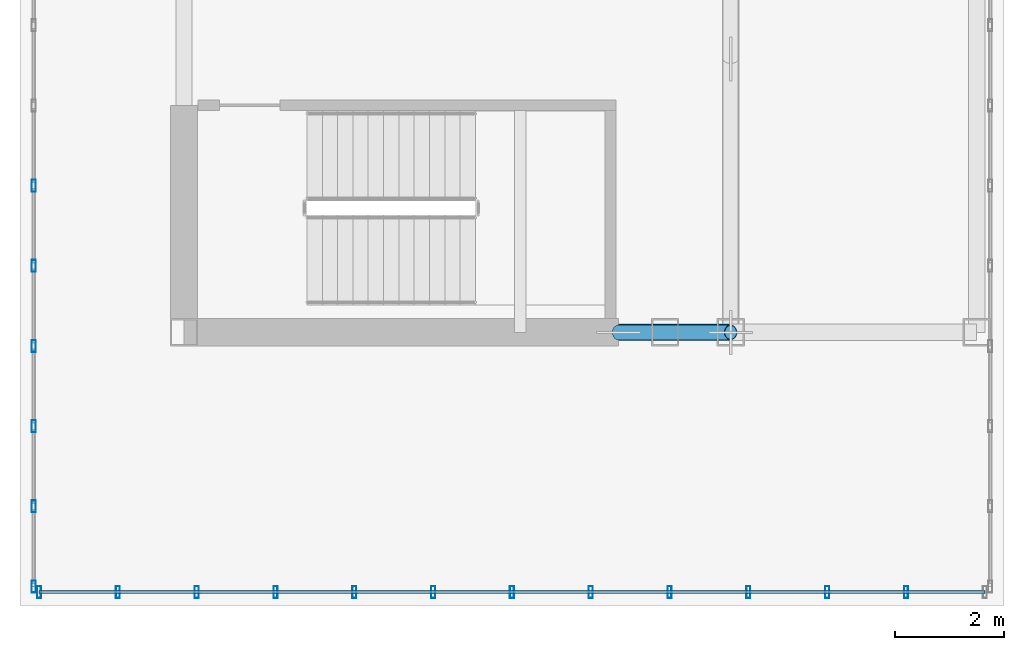
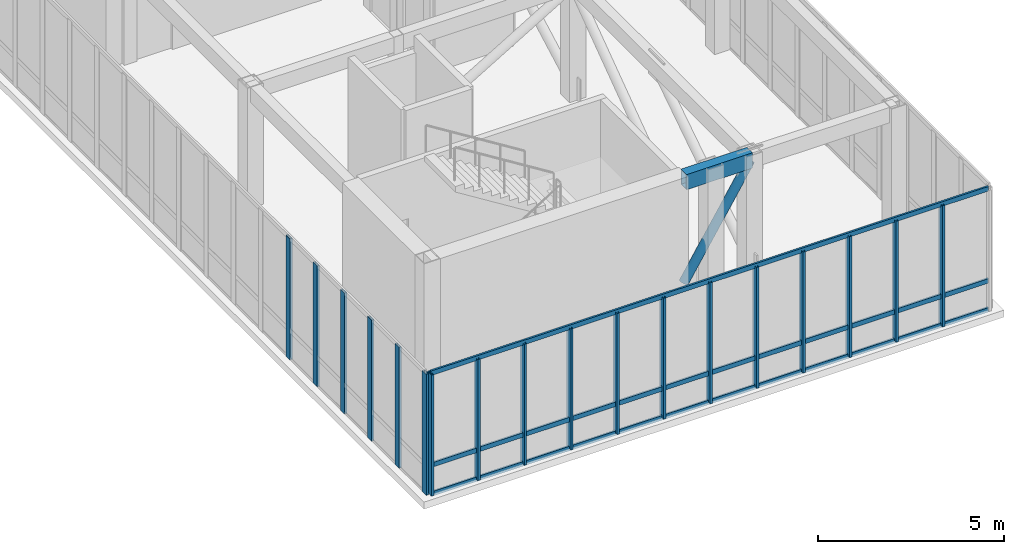
# One storey, part 2 of 13: 22 members, 1 beam, 2 elements without a shape of their own.
"""IFC4 building model written with IfcOpenShell, lengths in metres."""

from ifc_helpers import new_model, si_unit, direction, frame, origin, origin_2d, place, context, subcontext, project, spatial, hollow_rectangle, hollow_circle, extrude, source, transform, mapped, material, layer, layer_set, material_profile, profile_set, type_object, element, aggregate, save


model = new_model("IFC4")

# Units and contexts
model_context = context("Model", 3, precision=1e-05, world=origin(), true_north=direction((0.0, 1.0)))
body_context = subcontext(model_context, "Body", "Model", "MODEL_VIEW")
ifc_project = project(units=[si_unit("LENGTHUNIT", "METRE"), si_unit("AREAUNIT", "SQUARE_METRE"), si_unit("VOLUMEUNIT", "CUBIC_METRE"), si_unit("PLANEANGLEUNIT", "RADIAN"), si_unit("MASSUNIT", "GRAM", prefix="KILO")], contexts=[model_context])

# Site, building, storey
site_placement = place(None, origin())
site = spatial("IfcSite", under=ifc_project, at=site_placement, CompositionType="ELEMENT")
building_placement = place(site_placement, origin())
building = spatial("IfcBuilding", under=site, at=building_placement, Name="Kharzan Plaza Tower", CompositionType="ELEMENT")
storey_placement = place(building_placement, frame((0.0, 0.0, 285.60009765625)))
storey = spatial("IfcBuildingStorey", under=building, at=storey_placement, Name="L77-CROWN", CompositionType="ELEMENT", Elevation=285.60009765625)

# Beam
ifc_material_1 = material(Name="Steel S355", Category="steel")
ifc_material_profile_1 = material_profile(ifc_material_1, hollow_rectangle(XDim=0.300048828125, YDim=0.5, WallThickness=0.02001953125, at=origin_2d()), Name="RHS500x300x20")
ifc_profile_set_1 = profile_set([ifc_material_profile_1], Name="Steel S355")
beam_type = type_object("IfcBeamType", Name="BM-CRN500", PredefinedType="BEAM", material=ifc_profile_set_1)
shared_shape_1 = source(origin(), body_context, "Body", "SweptSolid", [
    extrude(hollow_rectangle(XDim=0.300048828125, YDim=0.5, WallThickness=0.02001953125, at=origin_2d()), origin(), (0.0, 0.0, 1.0), 2.050048828125),
])
beam_placement = place(storey_placement, frame((12.449951171875, 8.5, 3.719970703125), z_axis=(1.0, 0.0, 0.0), x_axis=(0.0, 1.0, 0.0)))
element("IfcBeam", 1, at=beam_placement, inside=storey, type_object=beam_type, Name="L77-CROWN CROWN FRAME Lantern Ring Beam CRB-S2", PredefinedType="BEAM", context=body_context, shape_type="MappedRepresentation", body=[
    mapped(shared_shape_1, transform((0.0, 0.0, 0.0), x_axis=(1.0, 0.0, 0.0), y_axis=(0.0, 1.0, 0.0), z_axis=(0.0, 0.0, 1.0))),
])

# Member
ifc_material_profile_2 = material_profile(ifc_material_1, hollow_circle(Radius=0.136474609375, WallThickness=0.010009765625, at=origin_2d()), Name="CHS273x10")
ifc_profile_set_2 = profile_set([ifc_material_profile_2], Name="Steel S355")
member_type_1 = type_object("IfcMemberType", Name="MEM-CRN-DIAG", PredefinedType="BRACE", material=ifc_profile_set_2)
shared_shape_2 = source(origin(), body_context, "Body", "SweptSolid", [
    extrude(hollow_circle(Radius=0.136474609375, WallThickness=0.010009765625, at=origin_2d()), origin(), (0.0, 0.0, 1.0), 3.859619140625),
])
member_1_placement = place(storey_placement, frame((12.449951171875, 8.5, 0.349853515625), z_axis=(0.531169756636, 0.0, 0.847265418647), x_axis=(0.0, 1.0, 0.0)))
element("IfcMember", 2, at=member_1_placement, inside=storey, type_object=member_type_1, Name="L77-CROWN CROWN FRAME Diagonal Wind Brace CRD-N2", PredefinedType="BRACE", context=body_context, shape_type="MappedRepresentation", body=[
    mapped(shared_shape_2, transform((0.0, 0.0, 0.0), x_axis=(1.0, 0.0, 0.0), y_axis=(0.0, 1.0, 0.0), z_axis=(0.0, 0.0, 1.0))),
])

# Curtain wall, members
ifc_material_2 = material(Name="Unitised Bronze-Anodized Aluminium and Low-E Glass", Category="aluminium")
ifc_layer = layer(ifc_material_2, 0.199951171875)
ifc_layer_set = layer_set([ifc_layer], Name="Unitised Bronze-Anodized Aluminium and Low-E Glass")
curtain_wall_type = type_object("IfcCurtainWallType", Name="CW-LANTERN-6", PredefinedType="NOTDEFINED", material=ifc_layer_set)
curtain_wall_1_placement = place(storey_placement, origin())
curtain_wall_1 = element("IfcCurtainWall", 3, at=curtain_wall_1_placement, inside=storey, type_object=curtain_wall_type, Name="L77-CROWN Lantern Crown Illuminated Curtain Wall 1", PredefinedType="NOTDEFINED")
ifc_material_3 = material(Name="Anodized Bronze Aluminium", Category="aluminium")
ifc_material_profile_3 = material_profile(ifc_material_3, hollow_rectangle(XDim=0.074951171875, YDim=0.219970703125, WallThickness=0.00390625, at=origin_2d()), Name="ALU-M220x75x4")
ifc_profile_set_3 = profile_set([ifc_material_profile_3], Name="Anodized Bronze Aluminium")
member_type_2 = type_object("IfcMemberType", Name="MEM-CW-MUL200", PredefinedType="MULLION", material=ifc_profile_set_3)
shared_shape_3 = source(origin(), body_context, "Body", "SweptSolid", [
    extrude(hollow_rectangle(XDim=0.074951171875, YDim=0.219970703125, WallThickness=0.00390625, at=origin_2d()), origin(), (0.0, 0.0, 1.0), 3.969970703125),
])
member_2_placement = place(storey_placement, frame((1.85009765625, 3.75, 0.0), z_axis=(0.0, 0.0, 1.0), x_axis=(1.0, 0.0, 0.0)))
member_2 = element("IfcMember", 4, at=member_2_placement, type_object=member_type_2, Name="L77-CROWN Curtain-Wall Mullion 00", PredefinedType="MULLION", context=body_context, shape_type="MappedRepresentation", body=[
    mapped(shared_shape_3, transform((0.0, 0.0, 0.0), x_axis=(1.0, 0.0, 0.0), y_axis=(0.0, 1.0, 0.0), z_axis=(0.0, 0.0, 1.0))),
])
member_3_placement = place(storey_placement, frame((3.291748046875, 3.75, 0.0), z_axis=(0.0, 0.0, 1.0), x_axis=(1.0, 0.0, 0.0)))
member_3 = element("IfcMember", 5, at=member_3_placement, type_object=member_type_2, Name="L77-CROWN Curtain-Wall Mullion 01", PredefinedType="MULLION", context=body_context, shape_type="MappedRepresentation", body=[
    mapped(shared_shape_3, transform((0.0, 0.0, 0.0), x_axis=(1.0, 0.0, 0.0), y_axis=(0.0, 1.0, 0.0), z_axis=(0.0, 0.0, 1.0))),
])
member_4_placement = place(storey_placement, frame((4.7333984375, 3.75, 0.0), z_axis=(0.0, 0.0, 1.0), x_axis=(1.0, 0.0, 0.0)))
member_4 = element("IfcMember", 6, at=member_4_placement, type_object=member_type_2, Name="L77-CROWN Curtain-Wall Mullion 02", PredefinedType="MULLION", context=body_context, shape_type="MappedRepresentation", body=[
    mapped(shared_shape_3, transform((0.0, 0.0, 0.0), x_axis=(1.0, 0.0, 0.0), y_axis=(0.0, 1.0, 0.0), z_axis=(0.0, 0.0, 1.0))),
])
member_5_placement = place(storey_placement, frame((6.175048828125, 3.75, 0.0), z_axis=(0.0, 0.0, 1.0), x_axis=(1.0, 0.0, 0.0)))
member_5 = element("IfcMember", 7, at=member_5_placement, type_object=member_type_2, Name="L77-CROWN Curtain-Wall Mullion 03", PredefinedType="MULLION", context=body_context, shape_type="MappedRepresentation", body=[
    mapped(shared_shape_3, transform((0.0, 0.0, 0.0), x_axis=(1.0, 0.0, 0.0), y_axis=(0.0, 1.0, 0.0), z_axis=(0.0, 0.0, 1.0))),
])
member_6_placement = place(storey_placement, frame((7.61669921875, 3.75, 0.0), z_axis=(0.0, 0.0, 1.0), x_axis=(1.0, 0.0, 0.0)))
member_6 = element("IfcMember", 8, at=member_6_placement, type_object=member_type_2, Name="L77-CROWN Curtain-Wall Mullion 04", PredefinedType="MULLION", context=body_context, shape_type="MappedRepresentation", body=[
    mapped(shared_shape_3, transform((0.0, 0.0, 0.0), x_axis=(1.0, 0.0, 0.0), y_axis=(0.0, 1.0, 0.0), z_axis=(0.0, 0.0, 1.0))),
])
member_7_placement = place(storey_placement, frame((9.058349609375, 3.75, 0.0), z_axis=(0.0, 0.0, 1.0), x_axis=(1.0, 0.0, 0.0)))
member_7 = element("IfcMember", 9, at=member_7_placement, type_object=member_type_2, Name="L77-CROWN Curtain-Wall Mullion 05", PredefinedType="MULLION", context=body_context, shape_type="MappedRepresentation", body=[
    mapped(shared_shape_3, transform((0.0, 0.0, 0.0), x_axis=(1.0, 0.0, 0.0), y_axis=(0.0, 1.0, 0.0), z_axis=(0.0, 0.0, 1.0))),
])
member_8_placement = place(storey_placement, frame((10.5, 3.75, 0.0), z_axis=(0.0, 0.0, 1.0), x_axis=(1.0, 0.0, 0.0)))
member_8 = element("IfcMember", 10, at=member_8_placement, type_object=member_type_2, Name="L77-CROWN Curtain-Wall Mullion 06", PredefinedType="MULLION", context=body_context, shape_type="MappedRepresentation", body=[
    mapped(shared_shape_3, transform((0.0, 0.0, 0.0), x_axis=(1.0, 0.0, 0.0), y_axis=(0.0, 1.0, 0.0), z_axis=(0.0, 0.0, 1.0))),
])
member_9_placement = place(storey_placement, frame((11.941650390625, 3.75, 0.0), z_axis=(0.0, 0.0, 1.0), x_axis=(1.0, 0.0, 0.0)))
member_9 = element("IfcMember", 11, at=member_9_placement, type_object=member_type_2, Name="L77-CROWN Curtain-Wall Mullion 07", PredefinedType="MULLION", context=body_context, shape_type="MappedRepresentation", body=[
    mapped(shared_shape_3, transform((0.0, 0.0, 0.0), x_axis=(1.0, 0.0, 0.0), y_axis=(0.0, 1.0, 0.0), z_axis=(0.0, 0.0, 1.0))),
])
member_10_placement = place(storey_placement, frame((13.38330078125, 3.75, 0.0), z_axis=(0.0, 0.0, 1.0), x_axis=(1.0, 0.0, 0.0)))
member_10 = element("IfcMember", 12, at=member_10_placement, type_object=member_type_2, Name="L77-CROWN Curtain-Wall Mullion 08", PredefinedType="MULLION", context=body_context, shape_type="MappedRepresentation", body=[
    mapped(shared_shape_3, transform((0.0, 0.0, 0.0), x_axis=(1.0, 0.0, 0.0), y_axis=(0.0, 1.0, 0.0), z_axis=(0.0, 0.0, 1.0))),
])
member_11_placement = place(storey_placement, frame((14.824951171875, 3.75, 0.0), z_axis=(0.0, 0.0, 1.0), x_axis=(1.0, 0.0, 0.0)))
member_11 = element("IfcMember", 13, at=member_11_placement, type_object=member_type_2, Name="L77-CROWN Curtain-Wall Mullion 09", PredefinedType="MULLION", context=body_context, shape_type="MappedRepresentation", body=[
    mapped(shared_shape_3, transform((0.0, 0.0, 0.0), x_axis=(1.0, 0.0, 0.0), y_axis=(0.0, 1.0, 0.0), z_axis=(0.0, 0.0, 1.0))),
])
member_12_placement = place(storey_placement, frame((16.2666015625, 3.75, 0.0), z_axis=(0.0, 0.0, 1.0), x_axis=(1.0, 0.0, 0.0)))
member_12 = element("IfcMember", 14, at=member_12_placement, type_object=member_type_2, Name="L77-CROWN Curtain-Wall Mullion 10", PredefinedType="MULLION", context=body_context, shape_type="MappedRepresentation", body=[
    mapped(shared_shape_3, transform((0.0, 0.0, 0.0), x_axis=(1.0, 0.0, 0.0), y_axis=(0.0, 1.0, 0.0), z_axis=(0.0, 0.0, 1.0))),
])
member_13_placement = place(storey_placement, frame((17.708251953125, 3.75, 0.0), z_axis=(0.0, 0.0, 1.0), x_axis=(1.0, 0.0, 0.0)))
member_13 = element("IfcMember", 15, at=member_13_placement, type_object=member_type_2, Name="L77-CROWN Curtain-Wall Mullion 11", PredefinedType="MULLION", context=body_context, shape_type="MappedRepresentation", body=[
    mapped(shared_shape_3, transform((0.0, 0.0, 0.0), x_axis=(1.0, 0.0, 0.0), y_axis=(0.0, 1.0, 0.0), z_axis=(0.0, 0.0, 1.0))),
])

curtain_wall_2_placement = place(storey_placement, origin())
curtain_wall_2 = element("IfcCurtainWall", 16, at=curtain_wall_2_placement, inside=storey, type_object=curtain_wall_type, Name="L77-CROWN Lantern Crown Illuminated Curtain Wall 4", PredefinedType="NOTDEFINED")
member_14_placement = place(storey_placement, frame((1.75, 11.183349609375, 0.0), z_axis=(0.0, 0.0, 1.0), x_axis=(1.0, 0.0, 0.0)))
member_14 = element("IfcMember", 17, at=member_14_placement, type_object=member_type_2, Name="L77-CROWN Curtain-Wall Mullion 16", PredefinedType="MULLION", context=body_context, shape_type="MappedRepresentation", body=[
    mapped(shared_shape_3, transform((0.0, 0.0, 0.0), x_axis=(1.0, 0.0, 0.0), y_axis=(0.0, 1.0, 0.0), z_axis=(0.0, 0.0, 1.0))),
])
member_15_placement = place(storey_placement, frame((1.75, 9.716796875, 0.0), z_axis=(0.0, 0.0, 1.0), x_axis=(1.0, 0.0, 0.0)))
member_15 = element("IfcMember", 18, at=member_15_placement, type_object=member_type_2, Name="L77-CROWN Curtain-Wall Mullion 17", PredefinedType="MULLION", context=body_context, shape_type="MappedRepresentation", body=[
    mapped(shared_shape_3, transform((0.0, 0.0, 0.0), x_axis=(1.0, 0.0, 0.0), y_axis=(0.0, 1.0, 0.0), z_axis=(0.0, 0.0, 1.0))),
])
member_16_placement = place(storey_placement, frame((1.75, 8.25, 0.0), z_axis=(0.0, 0.0, 1.0), x_axis=(1.0, 0.0, 0.0)))
member_16 = element("IfcMember", 19, at=member_16_placement, type_object=member_type_2, Name="L77-CROWN Curtain-Wall Mullion 18", PredefinedType="MULLION", context=body_context, shape_type="MappedRepresentation", body=[
    mapped(shared_shape_3, transform((0.0, 0.0, 0.0), x_axis=(1.0, 0.0, 0.0), y_axis=(0.0, 1.0, 0.0), z_axis=(0.0, 0.0, 1.0))),
])
member_17_placement = place(storey_placement, frame((1.75, 6.783203125, 0.0), z_axis=(0.0, 0.0, 1.0), x_axis=(1.0, 0.0, 0.0)))
member_17 = element("IfcMember", 20, at=member_17_placement, type_object=member_type_2, Name="L77-CROWN Curtain-Wall Mullion 19", PredefinedType="MULLION", context=body_context, shape_type="MappedRepresentation", body=[
    mapped(shared_shape_3, transform((0.0, 0.0, 0.0), x_axis=(1.0, 0.0, 0.0), y_axis=(0.0, 1.0, 0.0), z_axis=(0.0, 0.0, 1.0))),
])
member_18_placement = place(storey_placement, frame((1.75, 5.316650390625, 0.0), z_axis=(0.0, 0.0, 1.0), x_axis=(1.0, 0.0, 0.0)))
member_18 = element("IfcMember", 21, at=member_18_placement, type_object=member_type_2, Name="L77-CROWN Curtain-Wall Mullion 20", PredefinedType="MULLION", context=body_context, shape_type="MappedRepresentation", body=[
    mapped(shared_shape_3, transform((0.0, 0.0, 0.0), x_axis=(1.0, 0.0, 0.0), y_axis=(0.0, 1.0, 0.0), z_axis=(0.0, 0.0, 1.0))),
])
member_19_placement = place(storey_placement, frame((1.75, 3.85009765625, 0.0), z_axis=(0.0, 0.0, 1.0), x_axis=(1.0, 0.0, 0.0)))
member_19 = element("IfcMember", 22, at=member_19_placement, type_object=member_type_2, Name="L77-CROWN Curtain-Wall Mullion 21", PredefinedType="MULLION", context=body_context, shape_type="MappedRepresentation", body=[
    mapped(shared_shape_3, transform((0.0, 0.0, 0.0), x_axis=(1.0, 0.0, 0.0), y_axis=(0.0, 1.0, 0.0), z_axis=(0.0, 0.0, 1.0))),
])
aggregate(curtain_wall_2, [member_14, member_15, member_16, member_17, member_18, member_19])

# Member
ifc_material_profile_4 = material_profile(ifc_material_3, hollow_rectangle(XDim=0.06005859375, YDim=0.14990234375, WallThickness=0.00341796875, at=origin_2d()), Name="ALU-T150x60x3.5")
ifc_profile_set_4 = profile_set([ifc_material_profile_4], Name="Anodized Bronze Aluminium")
member_type_3 = type_object("IfcMemberType", Name="MEM-CW-TRN150", PredefinedType="USERDEFINED", material=ifc_profile_set_4)
shared_shape_4 = source(origin(), body_context, "Body", "SweptSolid", [
    extrude(hollow_rectangle(XDim=0.06005859375, YDim=0.14990234375, WallThickness=0.00341796875, at=origin_2d()), origin(), (0.0, 0.0, 1.0), 17.2998046875),
])
member_20_placement = place(storey_placement, frame((1.85009765625, 3.75, 0.0), z_axis=(1.0, 0.0, 0.0), x_axis=(0.0, 1.0, 0.0)))
member_20 = element("IfcMember", 23, at=member_20_placement, type_object=member_type_3, Name="L77-CROWN Curtain-Wall Transom 1", ObjectType="TRANSOM", PredefinedType="USERDEFINED", context=body_context, shape_type="MappedRepresentation", body=[
    mapped(shared_shape_4, transform((0.0, 0.0, 0.0), x_axis=(1.0, 0.0, 0.0), y_axis=(0.0, 1.0, 0.0), z_axis=(0.0, 0.0, 1.0))),
])

member_21_placement = place(storey_placement, frame((1.85009765625, 3.75, 0.949951171875), z_axis=(1.0, 0.0, 0.0), x_axis=(0.0, 1.0, 0.0)))
member_21 = element("IfcMember", 24, at=member_21_placement, type_object=member_type_3, Name="L77-CROWN Curtain-Wall Transom 2", ObjectType="TRANSOM", PredefinedType="USERDEFINED", context=body_context, shape_type="MappedRepresentation", body=[
    mapped(shared_shape_4, transform((0.0, 0.0, 0.0), x_axis=(1.0, 0.0, 0.0), y_axis=(0.0, 1.0, 0.0), z_axis=(0.0, 0.0, 1.0))),
])

member_22_placement = place(storey_placement, frame((1.85009765625, 3.75, 3.969970703125), z_axis=(1.0, 0.0, 0.0), x_axis=(0.0, 1.0, 0.0)))
member_22 = element("IfcMember", 25, at=member_22_placement, type_object=member_type_3, Name="L77-CROWN Curtain-Wall Transom 3", ObjectType="TRANSOM", PredefinedType="USERDEFINED", context=body_context, shape_type="MappedRepresentation", body=[
    mapped(shared_shape_4, transform((0.0, 0.0, 0.0), x_axis=(1.0, 0.0, 0.0), y_axis=(0.0, 1.0, 0.0), z_axis=(0.0, 0.0, 1.0))),
])

aggregate(curtain_wall_1, [member_2, member_3, member_4, member_5, member_6, member_7, member_8, member_9, member_10, member_11, member_12, member_13, member_20, member_21, member_22])

save(model, "model.ifc")
